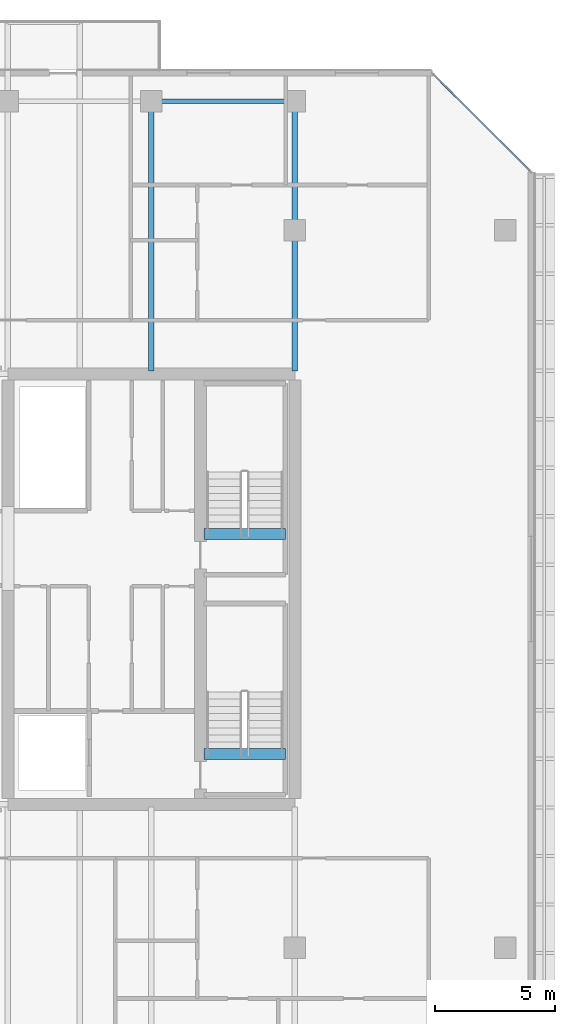
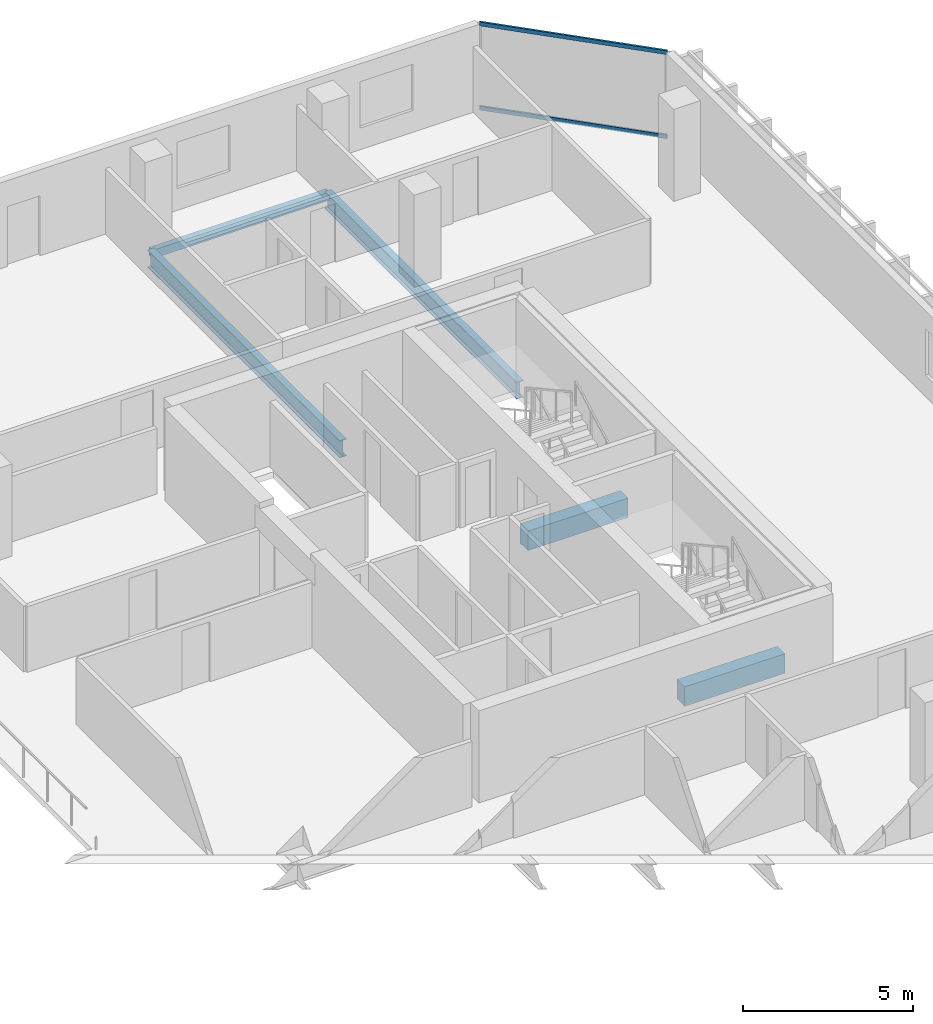
# One storey, part 16 of 29: 5 beams, 2 members, 1 element without a shape of its own.
"""IFC4 building model written with IfcOpenShell, lengths in metres."""

from ifc_helpers import new_model, si_unit, direction, frame, origin, origin_2d, place, context, subcontext, project, spatial, rectangle, hollow_rectangle, i_section, extrude, material, layer, layer_set, material_profile, profile_set, type_object, element, aggregate, save


model = new_model("IFC4")

# Units and contexts
model_context = context("Model", 3, precision=1e-05, world=origin(), true_north=direction((0.0, 1.0)))
body_context = subcontext(model_context, "Body", "Model", "MODEL_VIEW")
ifc_project = project(units=[si_unit("LENGTHUNIT", "METRE"), si_unit("AREAUNIT", "SQUARE_METRE"), si_unit("VOLUMEUNIT", "CUBIC_METRE"), si_unit("PLANEANGLEUNIT", "RADIAN"), si_unit("MASSUNIT", "GRAM", prefix="KILO")], contexts=[model_context])

# Site, building, storey
site_placement = place(None, origin())
site = spatial("IfcSite", under=ifc_project, at=site_placement, CompositionType="ELEMENT")
building_placement = place(site_placement, origin())
building = spatial("IfcBuilding", under=site, at=building_placement, Name="Tanjung Sevakor Pilgrim Tower", CompositionType="ELEMENT")
storey_placement = place(building_placement, frame((0.0, 0.0, 148.5)))
storey = spatial("IfcBuildingStorey", under=building, at=storey_placement, Name="L41", CompositionType="ELEMENT", Elevation=148.5)

# Beams
ifc_material_1 = material(Name="Steel S355J2", Category="steel")
ifc_material_profile_1 = material_profile(ifc_material_1, i_section(OverallWidth=0.22900390625, OverallDepth=0.6123046875, WebThickness=0.011962890625, FlangeThickness=0.01953125, FilletRadius=0.0126953125, at=origin_2d()))
ifc_profile_set_1 = profile_set([ifc_material_profile_1], Name="Steel S355J2")
beam_type_1 = type_object("IfcBeamType", Name="BM-B-G4-UB_610x229x125", PredefinedType="BEAM", material=ifc_profile_set_1)
for number, where, z_axis, x_axis, name in (
    (1, (84.0, 42.715087890625, -0.526123046875), (0.0, 1.0, 0.0), (-1.0, 0.0, 0.0), "L41 MAIN Girder 012"),
    (2, (90.0, 42.715087890625, -0.526123046875), (0.0, 1.0, 0.0), (-1.0, 0.0, 0.0), "L41 MAIN Girder 014"),
):
    element("IfcBeam", number, at=place(storey_placement, frame(where, z_axis=z_axis, x_axis=x_axis)), inside=storey, type_object=beam_type_1, Name=name, PredefinedType="BEAM", context=body_context, shape_type="SweptSolid", body=[
        extrude(i_section(OverallWidth=0.22900390625, OverallDepth=0.6123046875, WebThickness=0.011962890625, FlangeThickness=0.01953125, FilletRadius=0.0126953125, at=origin_2d()), origin(), (0.0, 0.0, 1.0), 11.284912109375),
    ])
ifc_material_2 = material(Name="Concrete C60/75", Category="concrete")
ifc_material_profile_2 = material_profile(ifc_material_2, rectangle(XDim=0.449951171875, YDim=0.699951171875, at=origin_2d()))
ifc_profile_set_2 = profile_set([ifc_material_profile_2], Name="Concrete C60/75")
beam_type_2 = type_object("IfcBeamType", Name="BM-B-LN3-RC-BM_450x700", PredefinedType="LINTEL", material=ifc_profile_set_2)
for number, where, z_axis, x_axis, name in (
    (3, (86.199951171875, 26.699951171875, -0.35009765625), (1.0, 0.0, 0.0), (0.0, 1.0, 0.0), "L41 TS-E1 Stair Threshold Beam"),
    (4, (86.199951171875, 35.89990234375, -0.35009765625), (1.0, 0.0, 0.0), (0.0, 1.0, 0.0), "L41 TS-E2 Stair Threshold Beam"),
):
    element("IfcBeam", number, at=place(storey_placement, frame(where, z_axis=z_axis, x_axis=x_axis)), inside=storey, type_object=beam_type_2, Name=name, PredefinedType="LINTEL", context=body_context, shape_type="SweptSolid", body=[
        extrude(rectangle(XDim=0.449951171875, YDim=0.699951171875, at=origin_2d()), origin(), (0.0, 0.0, 1.0), 3.400146484375),
    ])
ifc_material_3 = material(Name="Steel S355J2", Category="steel")
ifc_material_profile_3 = material_profile(ifc_material_3, hollow_rectangle(XDim=0.199951171875, YDim=0.300048828125, WallThickness=0.012451171875, at=origin_2d()))
ifc_profile_set_3 = profile_set([ifc_material_profile_3], Name="Steel S355J2")
beam_type_3 = type_object("IfcBeamType", Name="BM-B-SP3-RHS_300x200x12.5", PredefinedType="SPANDREL", material=ifc_profile_set_3)
beam_placement = place(storey_placement, frame((84.0, 54.0, -0.3701171875), z_axis=(1.0, 0.0, 0.0), x_axis=(0.0, 1.0, 0.0)))
element("IfcBeam", 5, at=beam_placement, inside=storey, type_object=beam_type_3, Name="L41 Spandrel MAIN N-18", PredefinedType="SPANDREL", context=body_context, shape_type="SweptSolid", body=[
    extrude(hollow_rectangle(XDim=0.199951171875, YDim=0.300048828125, WallThickness=0.012451171875, at=origin_2d()), origin(), (0.0, 0.0, 1.0), 6.0),
])

# Curtain wall, members
ifc_material_4 = material(Name="Aluminium 6063-T6 and Low-E Glass", Category="aluminium")
ifc_layer = layer(ifc_material_4, 0.179931640625)
ifc_layer_set = layer_set([ifc_layer], Name="CW-SYS-CHAM")
curtain_wall_type = type_object("IfcCurtainWallType", Name="CW-SYS-CHAM", PredefinedType="NOTDEFINED", material=ifc_layer_set)
curtain_wall_placement = place(storey_placement, origin())
curtain_wall = element("IfcCurtainWall", 6, at=curtain_wall_placement, inside=storey, type_object=curtain_wall_type, Name="L41 Curtain Wall CW-CHM-L41-MAIN-7", PredefinedType="NOTDEFINED")
ifc_material_5 = material(Name="Aluminium 6063-T6", Category="aluminium")
ifc_material_profile_4 = material_profile(ifc_material_5, hollow_rectangle(XDim=0.06494140625, YDim=0.139892578125, WallThickness=0.00390625, at=origin_2d()))
ifc_profile_set_4 = profile_set([ifc_material_profile_4], Name="Aluminium 6063-T6")
member_type = type_object("IfcMemberType", Name="TYPE-CWT-1", PredefinedType="USERDEFINED", material=ifc_profile_set_4)
member_1_placement = place(storey_placement, frame((99.8291015625, 51.09423828125, 0.032470703125), z_axis=(-0.707106781187, 0.707106781187, 0.0), x_axis=(-0.707106781187, -0.707106781187, 0.0)))
member_1 = element("IfcMember", 7, at=member_1_placement, type_object=member_type, Name="CW-CHM transom 1.1", ObjectType="TRANSOM", PredefinedType="USERDEFINED", context=body_context, shape_type="SweptSolid", body=[
    extrude(hollow_rectangle(XDim=0.06494140625, YDim=0.139892578125, WallThickness=0.00390625, at=origin_2d()), origin(), (0.0, 0.0, 1.0), 5.706298828125),
])
member_2_placement = place(storey_placement, frame((99.8291015625, 51.09423828125, 3.047607421875), z_axis=(-0.707106781187, 0.707106781187, 0.0), x_axis=(-0.707106781187, -0.707106781187, 0.0)))
member_2 = element("IfcMember", 8, at=member_2_placement, type_object=member_type, Name="CW-CHM transom 1.2", ObjectType="TRANSOM", PredefinedType="USERDEFINED", context=body_context, shape_type="SweptSolid", body=[
    extrude(hollow_rectangle(XDim=0.06494140625, YDim=0.139892578125, WallThickness=0.00390625, at=origin_2d()), origin(), (0.0, 0.0, 1.0), 5.706298828125),
])
aggregate(curtain_wall, [member_1, member_2])

save(model, "model.ifc")
